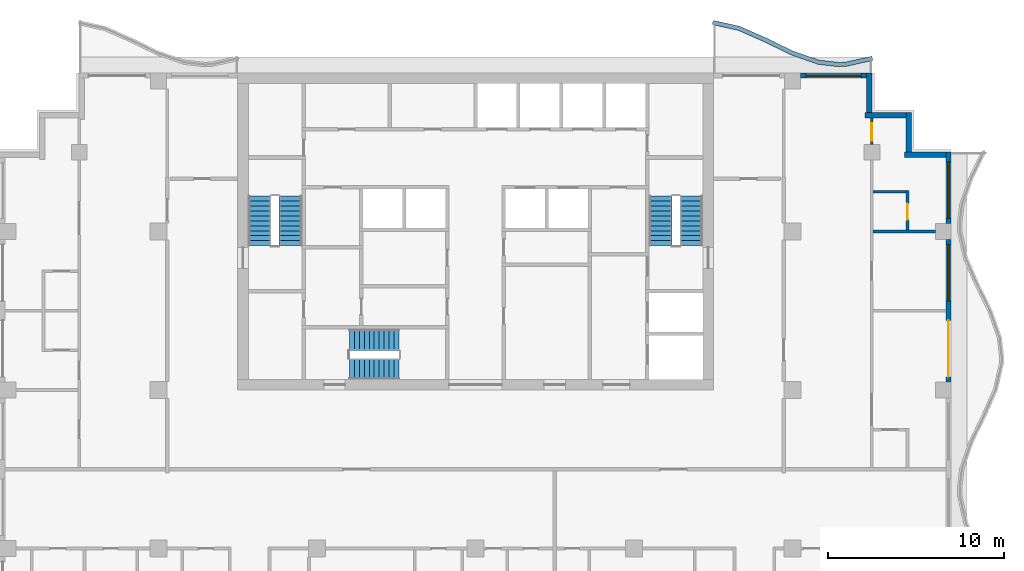
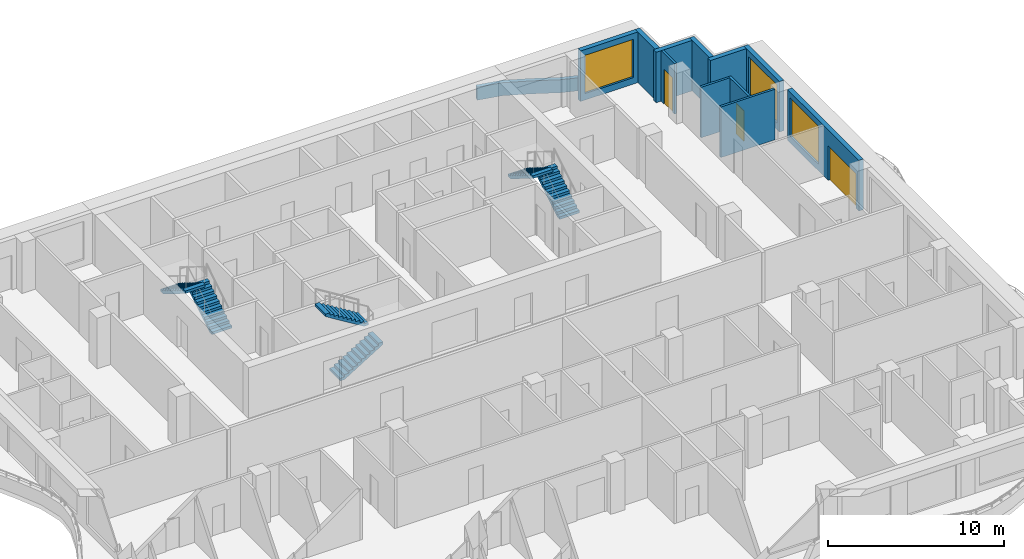
# One storey, part 7 of 11: 12 walls, 6 stair flights, 3 doors, 3 windows, 6 openings, 3 elements without a shape of their own.
"""IFC4 building model written with IfcOpenShell, lengths in metres."""

from ifc_helpers import new_model, si_unit, direction, frame, frame_2d, origin, place, context, subcontext, project, spatial, polyline, rectangle, outline, extrude, material, layer, layer_set, type_object, element, fill, aggregate, save


model = new_model("IFC4")

# Units and contexts
model_context = context("Model", 3, precision=1e-05, world=origin(), true_north=direction((0.0, 1.0)))
body_context = subcontext(model_context, "Body", "Model", "MODEL_VIEW")
ifc_project = project(units=[si_unit("LENGTHUNIT", "METRE"), si_unit("AREAUNIT", "SQUARE_METRE"), si_unit("VOLUMEUNIT", "CUBIC_METRE"), si_unit("PLANEANGLEUNIT", "RADIAN"), si_unit("MASSUNIT", "GRAM", prefix="KILO")], contexts=[model_context])

# Site, building, storey
site_placement = place(None, origin())
site = spatial("IfcSite", under=ifc_project, at=site_placement, CompositionType="ELEMENT")
building_placement = place(site_placement, origin())
building = spatial("IfcBuilding", under=site, at=building_placement, Name="Orbiselva Terraces", CompositionType="ELEMENT")
storey_placement = place(building_placement, frame((0.0, 0.0, 261.6)))
storey = spatial("IfcBuildingStorey", under=building, at=storey_placement, Name="L66", CompositionType="ELEMENT", Elevation=261.6)

# Wall
ifc_material_1 = material(Name="Concrete C40/50", Category="concrete")
ifc_layer_1 = layer(ifc_material_1, 0.25)
ifc_layer_set_1 = layer_set([ifc_layer_1], Name="Concrete C40/50")
wall_type_1 = type_object("IfcWallType", Name="ENV-PLANTER-250x900", PredefinedType="USERDEFINED", material=ifc_layer_set_1)
wall_1_placement = place(storey_placement, origin())
element("IfcWall", 1, at=wall_1_placement, inside=storey, type_object=wall_type_1, Name="Balcony planter L66 NE", ObjectType="PLANTER", PredefinedType="USERDEFINED", context=body_context, shape_type="SweptSolid", body=[
    extrude(outline(polyline([(22.5, 23.451472), (21.0, 23.114774), (20.625, 23.1), (19.5, 23.230792), (18.0, 23.755211), (16.5, 24.487721), (15.0, 25.148528), (13.5, 25.485226), (13.445246, 25.241296), (14.921492, 24.90993), (16.394714, 24.260919), (17.90356, 23.524089), (19.443629, 22.985662), (20.615428, 22.849429), (21.032565, 22.865863), (22.554754, 23.207542), (22.5, 23.451472)])), origin(), (0.0, 0.0, 1.0), 0.9),
])

# Wall, openings, door, window
ifc_material_2 = material(Name="Terracotta cladding on masonry backing", Category="masonry")
ifc_layer_2 = layer(ifc_material_2, 0.3)
ifc_layer_set_2 = layer_set([ifc_layer_2], Name="Terracotta cladding on masonry backing")
wall_type_2 = type_object("IfcWallType", Name="ENV-WALL-TERRACOTTA-300", PredefinedType="SOLIDWALL", material=ifc_layer_set_2)
wall_2_placement = place(storey_placement, frame((26.85, 13.05, 0.0), z_axis=(0.0, 0.0, 1.0), x_axis=(0.0, -1.0, 0.0)))
wall_2 = element("IfcWall", 2, at=wall_2_placement, inside=storey, type_object=wall_type_2, Name="Facade wall L66 E", PredefinedType="SOLIDWALL", context=body_context, shape_type="SweptSolid", body=[
    extrude(rectangle(XDim=8.1, YDim=0.3, at=frame_2d((4.05, 0.0))), origin(), (0.0, 0.0, 1.0), 3.5),
])
opening_1_placement = place(wall_2_placement, frame((4.6, 0.0, 0.0)))
opening_1 = element("IfcOpeningElement", 3, at=opening_1_placement, cuts=wall_2, Name="Opening Z5-C-E07", PredefinedType="OPENING", context=body_context, shape_type="SweptSolid", body=[
    extrude(rectangle(XDim=3.2, YDim=2.4, at=frame_2d((1.6, 1.2))), frame((0.0, 0.16, 0.0), z_axis=(0.0, -1.0, 0.0), x_axis=(1.0, 0.0, 0.0)), (0.0, 0.0, 1.0), 0.32),
])
opening_2_placement = place(wall_2_placement, frame((0.3, 0.0, 0.45)))
opening_2 = element("IfcOpeningElement", 4, at=opening_2_placement, cuts=wall_2, Name="Opening WN17", PredefinedType="OPENING", context=body_context, shape_type="SweptSolid", body=[
    extrude(rectangle(XDim=3.2, YDim=2.65, at=frame_2d((1.6, 1.325))), frame((0.0, 0.16, 0.0), z_axis=(0.0, -1.0, 0.0), x_axis=(1.0, 0.0, 0.0)), (0.0, 0.0, 1.0), 0.32),
])
ifc_material_3 = material(Name="Clear low-e glazing in aluminium frame", Category="aluminium")
door_type_1 = type_object("IfcDoorType", Name="BALCONY DOOR 3200 X 2400", OperationType="DOUBLE_DOOR_SLIDING", PredefinedType="DOOR", material=ifc_material_3)
door_1_placement = place(opening_1_placement, origin())
door_1 = element("IfcDoor", 5, at=door_1_placement, inside=storey, type_object=door_type_1, Name="Z5-C-E07", OperationType="SINGLE_SWING_LEFT", OverallHeight=2.4, OverallWidth=3.2, PredefinedType="DOOR", context=body_context, shape_type="SweptSolid", body=[
    extrude(rectangle(XDim=3.2, YDim=2.4, at=frame_2d((1.6, 1.2))), frame((0.0, 0.025, 0.0), z_axis=(0.0, -1.0, 0.0), x_axis=(1.0, 0.0, 0.0)), (0.0, 0.0, 1.0), 0.05),
])
fill(opening_1, door_1)
window_type_1 = type_object("IfcWindowType", Name="WINDOW 3200 X 2650 S450", PartitioningType="TRIPLE_PANEL_VERTICAL", PredefinedType="WINDOW", material=ifc_material_3)
window_1_placement = place(opening_2_placement, origin())
window_1 = element("IfcWindow", 6, at=window_1_placement, inside=storey, type_object=window_type_1, Name="Window L66 E", OverallHeight=2.65, OverallWidth=3.2, PartitioningType="SINGLE_PANEL", PredefinedType="WINDOW", context=body_context, shape_type="SweptSolid", body=[
    extrude(rectangle(XDim=3.2, YDim=2.65, at=frame_2d((1.6, 1.325))), frame((0.0, 0.03, 0.0), z_axis=(0.0, -1.0, 0.0), x_axis=(1.0, 0.0, 0.0)), (0.0, 0.0, 1.0), 0.06),
])
fill(opening_2, window_1)

# Wall, opening, window
wall_3_placement = place(storey_placement, frame((26.85, 18.0, 0.0), z_axis=(0.0, 0.0, 1.0), x_axis=(0.0, -1.0, 0.0)))
wall_3 = element("IfcWall", 7, at=wall_3_placement, inside=storey, type_object=wall_type_2, Name="Facade wall L66 E", PredefinedType="SOLIDWALL", context=body_context, shape_type="SweptSolid", body=[
    extrude(rectangle(XDim=4.05, YDim=0.3, at=frame_2d((2.025, 0.0))), origin(), (0.0, 0.0, 1.0), 3.5),
])
opening_3_placement = place(wall_3_placement, frame((0.55, 0.0, 0.45)))
opening_3 = element("IfcOpeningElement", 8, at=opening_3_placement, cuts=wall_3, Name="Opening WN17", PredefinedType="OPENING", context=body_context, shape_type="SweptSolid", body=[
    extrude(rectangle(XDim=3.2, YDim=2.65, at=frame_2d((1.6, 1.325))), frame((0.0, 0.16, 0.0), z_axis=(0.0, -1.0, 0.0), x_axis=(1.0, 0.0, 0.0)), (0.0, 0.0, 1.0), 0.32),
])
window_2_placement = place(opening_3_placement, origin())
window_2 = element("IfcWindow", 9, at=window_2_placement, inside=storey, type_object=window_type_1, Name="Window L66 E", OverallHeight=2.65, OverallWidth=3.2, PartitioningType="SINGLE_PANEL", PredefinedType="WINDOW", context=body_context, shape_type="SweptSolid", body=[
    extrude(rectangle(XDim=3.2, YDim=2.65, at=frame_2d((1.6, 1.325))), frame((0.0, 0.03, 0.0), z_axis=(0.0, -1.0, 0.0), x_axis=(1.0, 0.0, 0.0)), (0.0, 0.0, 1.0), 0.06),
])
fill(opening_3, window_2)

# Walls
wall_4_placement = place(storey_placement, frame((24.35, 17.85, 0.0), z_axis=(0.0, 0.0, 1.0), x_axis=(1.0, 0.0, 0.0)))
element("IfcWall", 10, at=wall_4_placement, inside=storey, type_object=wall_type_2, Name="Facade wall L66 STEP", PredefinedType="SOLIDWALL", context=body_context, shape_type="SweptSolid", body=[
    extrude(rectangle(XDim=2.35, YDim=0.3, at=frame_2d((1.175, 0.0))), origin(), (0.0, 0.0, 1.0), 3.5),
])
wall_5_placement = place(storey_placement, frame((24.6, 20.25, 0.0), z_axis=(0.0, 0.0, 1.0), x_axis=(0.0, -1.0, 0.0)))
element("IfcWall", 11, at=wall_5_placement, inside=storey, type_object=wall_type_2, Name="Facade wall L66 STEP", PredefinedType="SOLIDWALL", context=body_context, shape_type="SweptSolid", body=[
    extrude(rectangle(XDim=2.25, YDim=0.3, at=frame_2d((1.125, 0.0))), origin(), (0.0, 0.0, 1.0), 3.5),
])
wall_6_placement = place(storey_placement, frame((22.1, 20.1, 0.0), z_axis=(0.0, 0.0, 1.0), x_axis=(1.0, 0.0, 0.0)))
element("IfcWall", 12, at=wall_6_placement, inside=storey, type_object=wall_type_2, Name="Facade wall L66 STEP", PredefinedType="SOLIDWALL", context=body_context, shape_type="SweptSolid", body=[
    extrude(rectangle(XDim=2.35, YDim=0.3, at=frame_2d((1.175, 0.0))), origin(), (0.0, 0.0, 1.0), 3.5),
])
wall_7_placement = place(storey_placement, frame((22.35, 22.5, 0.0), z_axis=(0.0, 0.0, 1.0), x_axis=(0.0, -1.0, 0.0)))
element("IfcWall", 13, at=wall_7_placement, inside=storey, type_object=wall_type_2, Name="Facade wall L66 STEP", PredefinedType="SOLIDWALL", context=body_context, shape_type="SweptSolid", body=[
    extrude(rectangle(XDim=2.25, YDim=0.3, at=frame_2d((1.125, 0.0))), origin(), (0.0, 0.0, 1.0), 3.5),
])

# Wall, opening, window
wall_8_placement = place(storey_placement, frame((18.45, 22.35, 0.0), z_axis=(0.0, 0.0, 1.0), x_axis=(1.0, 0.0, 0.0)))
wall_8 = element("IfcWall", 14, at=wall_8_placement, inside=storey, type_object=wall_type_2, Name="Facade wall L66 NE", PredefinedType="SOLIDWALL", context=body_context, shape_type="SweptSolid", body=[
    extrude(rectangle(XDim=3.75, YDim=0.3, at=frame_2d((1.875, 0.0))), origin(), (0.0, 0.0, 1.0), 3.5),
])
opening_4_placement = place(wall_8_placement, frame((0.3, 0.0, 0.45)))
opening_4 = element("IfcOpeningElement", 15, at=opening_4_placement, cuts=wall_8, Name="Opening WN16", PredefinedType="OPENING", context=body_context, shape_type="SweptSolid", body=[
    extrude(rectangle(XDim=3.15, YDim=2.65, at=frame_2d((1.575, 1.325))), frame((0.0, 0.16, 0.0), z_axis=(0.0, -1.0, 0.0), x_axis=(1.0, 0.0, 0.0)), (0.0, 0.0, 1.0), 0.32),
])
window_type_2 = type_object("IfcWindowType", Name="WINDOW 3150 X 2650 S450", PartitioningType="TRIPLE_PANEL_VERTICAL", PredefinedType="WINDOW", material=ifc_material_3)
window_3_placement = place(opening_4_placement, origin())
window_3 = element("IfcWindow", 16, at=window_3_placement, inside=storey, type_object=window_type_2, Name="Window L66 NE", OverallHeight=2.65, OverallWidth=3.15, PartitioningType="SINGLE_PANEL", PredefinedType="WINDOW", context=body_context, shape_type="SweptSolid", body=[
    extrude(rectangle(XDim=3.15, YDim=2.65, at=frame_2d((1.575, 1.325))), frame((0.0, 0.03, 0.0), z_axis=(0.0, -1.0, 0.0), x_axis=(1.0, 0.0, 0.0)), (0.0, 0.0, 1.0), 0.06),
])
fill(opening_4, window_3)

# Walls
ifc_material_4 = material(Name="Plasterboard on steel stud partition", Category="steel")
ifc_layer_3 = layer(ifc_material_4, 0.15)
ifc_layer_set_3 = layer_set([ifc_layer_3], Name="Plasterboard on steel stud partition")
wall_type_3 = type_object("IfcWallType", Name="UNIT-PARTITION-150", PredefinedType="PARTITIONING", material=ifc_layer_set_3)
wall_9_placement = place(storey_placement, frame((22.575, 13.5, 0.0), z_axis=(0.0, 0.0, 1.0), x_axis=(1.0, 0.0, 0.0)))
element("IfcWall", 17, at=wall_9_placement, inside=storey, type_object=wall_type_3, Name="PARTITION L66-039", PredefinedType="PARTITIONING", context=body_context, shape_type="SweptSolid", body=[
    extrude(rectangle(XDim=3.525, YDim=0.15, at=frame_2d((1.7625, 0.0))), origin(), (0.0, 0.0, 1.0), 3.5),
])
wall_10_placement = place(storey_placement, frame((22.575, 15.75, 0.0), z_axis=(0.0, 0.0, 1.0), x_axis=(1.0, 0.0, 0.0)))
element("IfcWall", 18, at=wall_10_placement, inside=storey, type_object=wall_type_3, Name="PARTITION L66-040", PredefinedType="PARTITIONING", context=body_context, shape_type="SweptSolid", body=[
    extrude(rectangle(XDim=1.875, YDim=0.15, at=frame_2d((0.9375, 0.0))), origin(), (0.0, 0.0, 1.0), 3.5),
])

# Wall, opening, door
wall_11_placement = place(storey_placement, frame((22.5, 19.95, 0.0), z_axis=(0.0, 0.0, 1.0), x_axis=(0.0, -1.0, 0.0)))
wall_11 = element("IfcWall", 19, at=wall_11_placement, inside=storey, type_object=wall_type_3, Name="PARTITION L66-090", PredefinedType="PARTITIONING", context=body_context, shape_type="SweptSolid", body=[
    extrude(rectangle(XDim=1.5, YDim=0.15, at=frame_2d((0.75, 0.0))), origin(), (0.0, 0.0, 1.0), 3.5),
])
opening_5_placement = place(wall_11_placement, frame((0.3, 0.0, 0.0)))
opening_5 = element("IfcOpeningElement", 20, at=opening_5_placement, cuts=wall_11, Name="Opening Z5-C-13", PredefinedType="OPENING", context=body_context, shape_type="SweptSolid", body=[
    extrude(rectangle(XDim=1.0, YDim=2.4, at=frame_2d((0.5, 1.2))), frame((0.0, 0.085, 0.0), z_axis=(0.0, -1.0, 0.0), x_axis=(1.0, 0.0, 0.0)), (0.0, 0.0, 1.0), 0.17),
])
ifc_material_5 = material(Name="Painted timber door leaf", Category="wood")
door_type_2 = type_object("IfcDoorType", Name="ROOM DOOR 1000", OperationType="NOTDEFINED", PredefinedType="DOOR", material=ifc_material_5)
door_2_placement = place(opening_5_placement, origin())
door_2 = element("IfcDoor", 21, at=door_2_placement, inside=storey, type_object=door_type_2, Name="Z5-C-13", OperationType="SINGLE_SWING_RIGHT", OverallHeight=2.4, OverallWidth=1.0, PredefinedType="DOOR", context=body_context, shape_type="SweptSolid", body=[
    extrude(rectangle(XDim=1.0, YDim=2.4, at=frame_2d((0.5, 1.2))), frame((0.0, 0.025, 0.0), z_axis=(0.0, -1.0, 0.0), x_axis=(1.0, 0.0, 0.0)), (0.0, 0.0, 1.0), 0.05),
])
fill(opening_5, door_2)

wall_12_placement = place(storey_placement, frame((24.525, 13.575, 0.0), z_axis=(0.0, 0.0, 1.0), x_axis=(0.0, 1.0, 0.0)))
wall_12 = element("IfcWall", 22, at=wall_12_placement, inside=storey, type_object=wall_type_3, Name="PARTITION L66-093", PredefinedType="PARTITIONING", context=body_context, shape_type="SweptSolid", body=[
    extrude(rectangle(XDim=2.25, YDim=0.15, at=frame_2d((1.125, 0.0))), origin(), (0.0, 0.0, 1.0), 3.5),
])
opening_6_placement = place(wall_12_placement, frame((0.6, 0.0, 0.0)))
opening_6 = element("IfcOpeningElement", 23, at=opening_6_placement, cuts=wall_12, Name="Opening Z5-C-14", PredefinedType="OPENING", context=body_context, shape_type="SweptSolid", body=[
    extrude(rectangle(XDim=0.9, YDim=2.1, at=frame_2d((0.45, 1.05))), frame((0.0, 0.085, 0.0), z_axis=(0.0, -1.0, 0.0), x_axis=(1.0, 0.0, 0.0)), (0.0, 0.0, 1.0), 0.17),
])
door_type_3 = type_object("IfcDoorType", Name="BATH DOOR 900", OperationType="NOTDEFINED", PredefinedType="DOOR", material=ifc_material_5)
door_3_placement = place(opening_6_placement, origin())
door_3 = element("IfcDoor", 24, at=door_3_placement, inside=storey, type_object=door_type_3, Name="Z5-C-14", OperationType="SINGLE_SWING_LEFT", OverallHeight=2.1, OverallWidth=0.9, PredefinedType="DOOR", context=body_context, shape_type="SweptSolid", body=[
    extrude(rectangle(XDim=0.9, YDim=2.1, at=frame_2d((0.45, 1.05))), frame((0.0, 0.025, 0.0), z_axis=(0.0, -1.0, 0.0), x_axis=(1.0, 0.0, 0.0)), (0.0, 0.0, 1.0), 0.05),
])
fill(opening_6, door_3)

# Stair, stair flights
stair_type_1 = type_object("IfcStairType", Name="CORE-STAIR-1200", PredefinedType="HALF_TURN_STAIR", material=ifc_material_1)
stair_1_placement = place(storey_placement, origin())
stair_1 = element("IfcStair", 25, at=stair_1_placement, inside=storey, type_object=stair_type_1, Name="L66 Exit Stair S3", PredefinedType="HALF_TURN_STAIR")
stair_flight_type_1 = type_object("IfcStairFlightType", Name="CORE-STAIR-FLIGHT-1200", PredefinedType="STRAIGHT", material=ifc_material_1)
stair_flight_1_placement = place(storey_placement, frame((-7.15, 5.7, 0.0), z_axis=(0.0, 0.0, 1.0), x_axis=(1.0, 0.0, 0.0)))
stair_flight_1 = element("IfcStairFlight", 26, at=stair_flight_1_placement, type_object=stair_flight_type_1, Name="S3 flight 1", NumberOfRisers=11, NumberOfTreads=10, PredefinedType="STRAIGHT", RiserHeight=0.172727273, TreadLength=0.28, context=body_context, shape_type="SweptSolid", body=[
    extrude(outline(polyline([(0.0, 0.0), (0.0, 0.172727), (0.28, 0.172727), (0.28, 0.345455), (0.56, 0.345455), (0.56, 0.518182), (0.84, 0.518182), (0.84, 0.690909), (1.12, 0.690909), (1.12, 0.863636), (1.4, 0.863636), (1.4, 1.036364), (1.68, 1.036364), (1.68, 1.209091), (1.96, 1.209091), (1.96, 1.381818), (2.24, 1.381818), (2.24, 1.554545), (2.52, 1.554545), (2.52, 1.727273), (2.8, 1.727273), (2.8, 1.9), (2.8, 1.551028), (0.285702, 0.0), (0.0, 0.0)])), frame((0.0, 0.6, 0.0), z_axis=(0.0, -1.0, 0.0), x_axis=(1.0, 0.0, 0.0)), (0.0, 0.0, 1.0), 1.2),
])
stair_flight_2_placement = place(storey_placement, frame((-4.35, 7.35, 1.9), z_axis=(0.0, 0.0, 1.0), x_axis=(-1.0, 0.0, 0.0)))
stair_flight_2 = element("IfcStairFlight", 27, at=stair_flight_2_placement, type_object=stair_flight_type_1, Name="S3 flight 2", NumberOfRisers=11, NumberOfTreads=10, PredefinedType="STRAIGHT", RiserHeight=0.172727273, TreadLength=0.28, context=body_context, shape_type="SweptSolid", body=[
    extrude(outline(polyline([(0.0, 0.0), (0.0, 0.172727), (0.28, 0.172727), (0.28, 0.345455), (0.56, 0.345455), (0.56, 0.518182), (0.84, 0.518182), (0.84, 0.690909), (1.12, 0.690909), (1.12, 0.863636), (1.4, 0.863636), (1.4, 1.036364), (1.68, 1.036364), (1.68, 1.209091), (1.96, 1.209091), (1.96, 1.381818), (2.24, 1.381818), (2.24, 1.554545), (2.52, 1.554545), (2.52, 1.727273), (2.8, 1.727273), (2.8, 1.9), (2.8, 1.551028), (0.285702, 0.0), (0.0, 0.0)])), frame((0.0, 0.6, 0.0), z_axis=(0.0, -1.0, 0.0), x_axis=(1.0, 0.0, 0.0)), (0.0, 0.0, 1.0), 1.2),
])
aggregate(stair_1, [stair_flight_1, stair_flight_2])

stair_type_2 = type_object("IfcStairType", Name="CORE-STAIR-1300", PredefinedType="HALF_TURN_STAIR", material=ifc_material_1)
stair_2_placement = place(storey_placement, origin())
stair_2 = element("IfcStair", 28, at=stair_2_placement, inside=storey, type_object=stair_type_2, Name="L66 Exit Stair S1", PredefinedType="HALF_TURN_STAIR")
stair_flight_type_2 = type_object("IfcStairFlightType", Name="CORE-STAIR-FLIGHT-1300", PredefinedType="STRAIGHT", material=ifc_material_1)
stair_flight_3_placement = place(storey_placement, frame((-10.5, 12.7, 0.0), z_axis=(0.0, 0.0, 1.0), x_axis=(0.0, 1.0, 0.0)))
stair_flight_3 = element("IfcStairFlight", 29, at=stair_flight_3_placement, type_object=stair_flight_type_2, Name="S1 flight 1", NumberOfRisers=11, NumberOfTreads=10, PredefinedType="STRAIGHT", RiserHeight=0.172727273, TreadLength=0.28, context=body_context, shape_type="SweptSolid", body=[
    extrude(outline(polyline([(0.0, 0.0), (0.0, 0.172727), (0.28, 0.172727), (0.28, 0.345455), (0.56, 0.345455), (0.56, 0.518182), (0.84, 0.518182), (0.84, 0.690909), (1.12, 0.690909), (1.12, 0.863636), (1.4, 0.863636), (1.4, 1.036364), (1.68, 1.036364), (1.68, 1.209091), (1.96, 1.209091), (1.96, 1.381818), (2.24, 1.381818), (2.24, 1.554545), (2.52, 1.554545), (2.52, 1.727273), (2.8, 1.727273), (2.8, 1.9), (2.8, 1.551028), (0.285702, 0.0), (0.0, 0.0)])), frame((0.0, 0.65, 0.0), z_axis=(0.0, -1.0, 0.0), x_axis=(1.0, 0.0, 0.0)), (0.0, 0.0, 1.0), 1.3),
])
stair_flight_4_placement = place(storey_placement, frame((-12.25, 15.5, 1.9), z_axis=(0.0, 0.0, 1.0), x_axis=(0.0, -1.0, 0.0)))
stair_flight_4 = element("IfcStairFlight", 30, at=stair_flight_4_placement, type_object=stair_flight_type_2, Name="S1 flight 2", NumberOfRisers=11, NumberOfTreads=10, PredefinedType="STRAIGHT", RiserHeight=0.172727273, TreadLength=0.28, context=body_context, shape_type="SweptSolid", body=[
    extrude(outline(polyline([(0.0, 0.0), (0.0, 0.172727), (0.28, 0.172727), (0.28, 0.345455), (0.56, 0.345455), (0.56, 0.518182), (0.84, 0.518182), (0.84, 0.690909), (1.12, 0.690909), (1.12, 0.863636), (1.4, 0.863636), (1.4, 1.036364), (1.68, 1.036364), (1.68, 1.209091), (1.96, 1.209091), (1.96, 1.381818), (2.24, 1.381818), (2.24, 1.554545), (2.52, 1.554545), (2.52, 1.727273), (2.8, 1.727273), (2.8, 1.9), (2.8, 1.551028), (0.285702, 0.0), (0.0, 0.0)])), frame((0.0, 0.65, 0.0), z_axis=(0.0, -1.0, 0.0), x_axis=(1.0, 0.0, 0.0)), (0.0, 0.0, 1.0), 1.3),
])
aggregate(stair_2, [stair_flight_3, stair_flight_4])

stair_3_placement = place(storey_placement, origin())
stair_3 = element("IfcStair", 31, at=stair_3_placement, inside=storey, type_object=stair_type_2, Name="L66 Exit Stair S2", PredefinedType="HALF_TURN_STAIR")
stair_flight_5_placement = place(storey_placement, frame((12.25, 12.7, 0.0), z_axis=(0.0, 0.0, 1.0), x_axis=(0.0, 1.0, 0.0)))
stair_flight_5 = element("IfcStairFlight", 32, at=stair_flight_5_placement, type_object=stair_flight_type_2, Name="S2 flight 1", NumberOfRisers=11, NumberOfTreads=10, PredefinedType="STRAIGHT", RiserHeight=0.172727273, TreadLength=0.28, context=body_context, shape_type="SweptSolid", body=[
    extrude(outline(polyline([(0.0, 0.0), (0.0, 0.172727), (0.28, 0.172727), (0.28, 0.345455), (0.56, 0.345455), (0.56, 0.518182), (0.84, 0.518182), (0.84, 0.690909), (1.12, 0.690909), (1.12, 0.863636), (1.4, 0.863636), (1.4, 1.036364), (1.68, 1.036364), (1.68, 1.209091), (1.96, 1.209091), (1.96, 1.381818), (2.24, 1.381818), (2.24, 1.554545), (2.52, 1.554545), (2.52, 1.727273), (2.8, 1.727273), (2.8, 1.9), (2.8, 1.551028), (0.285702, 0.0), (0.0, 0.0)])), frame((0.0, 0.65, 0.0), z_axis=(0.0, -1.0, 0.0), x_axis=(1.0, 0.0, 0.0)), (0.0, 0.0, 1.0), 1.3),
])
stair_flight_6_placement = place(storey_placement, frame((10.5, 15.5, 1.9), z_axis=(0.0, 0.0, 1.0), x_axis=(0.0, -1.0, 0.0)))
stair_flight_6 = element("IfcStairFlight", 33, at=stair_flight_6_placement, type_object=stair_flight_type_2, Name="S2 flight 2", NumberOfRisers=11, NumberOfTreads=10, PredefinedType="STRAIGHT", RiserHeight=0.172727273, TreadLength=0.28, context=body_context, shape_type="SweptSolid", body=[
    extrude(outline(polyline([(0.0, 0.0), (0.0, 0.172727), (0.28, 0.172727), (0.28, 0.345455), (0.56, 0.345455), (0.56, 0.518182), (0.84, 0.518182), (0.84, 0.690909), (1.12, 0.690909), (1.12, 0.863636), (1.4, 0.863636), (1.4, 1.036364), (1.68, 1.036364), (1.68, 1.209091), (1.96, 1.209091), (1.96, 1.381818), (2.24, 1.381818), (2.24, 1.554545), (2.52, 1.554545), (2.52, 1.727273), (2.8, 1.727273), (2.8, 1.9), (2.8, 1.551028), (0.285702, 0.0), (0.0, 0.0)])), frame((0.0, 0.65, 0.0), z_axis=(0.0, -1.0, 0.0), x_axis=(1.0, 0.0, 0.0)), (0.0, 0.0, 1.0), 1.3),
])
aggregate(stair_3, [stair_flight_5, stair_flight_6])

save(model, "model.ifc")
